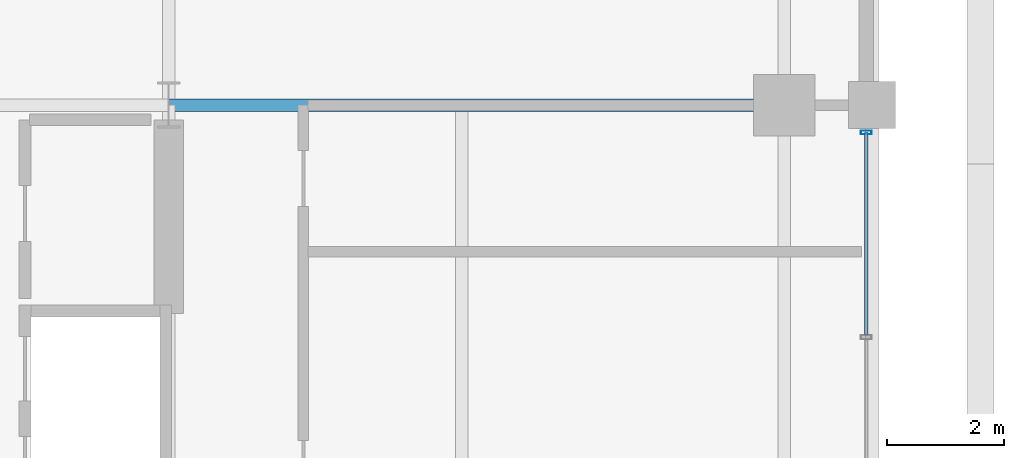
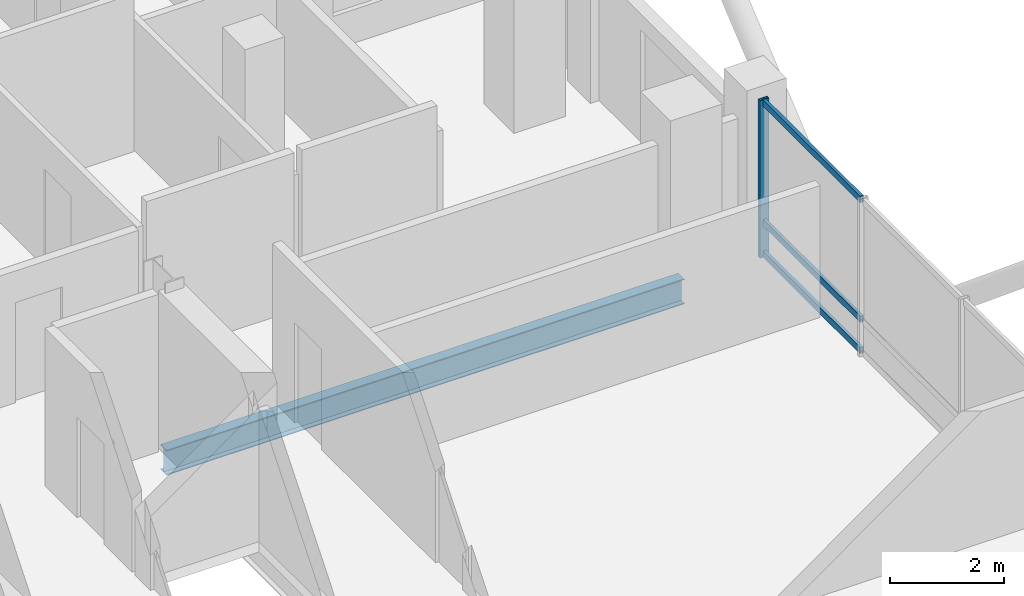
# One storey, part 11 of 24: 4 members, 1 beam, 1 element without a shape of its own.
"""IFC4 building model written with IfcOpenShell, lengths in metres."""

from ifc_helpers import new_model, si_unit, direction, frame, origin, origin_2d, place, context, subcontext, project, spatial, hollow_rectangle, i_section, extrude, material, layer, layer_set, material_profile, profile_set, type_object, element, aggregate, save


model = new_model("IFC4")

# Units and contexts
model_context = context("Model", 3, precision=1e-05, world=origin(), true_north=direction((0.0, 1.0)))
body_context = subcontext(model_context, "Body", "Model", "MODEL_VIEW")
ifc_project = project(units=[si_unit("LENGTHUNIT", "METRE"), si_unit("AREAUNIT", "SQUARE_METRE"), si_unit("VOLUMEUNIT", "CUBIC_METRE"), si_unit("PLANEANGLEUNIT", "RADIAN"), si_unit("MASSUNIT", "GRAM", prefix="KILO")], contexts=[model_context])

# Site, building, storey
site_placement = place(None, origin())
site = spatial("IfcSite", under=ifc_project, at=site_placement, CompositionType="ELEMENT")
building_placement = place(site_placement, origin())
building = spatial("IfcBuilding", under=site, at=building_placement, Name="Barlavira Tower and Art Museum", CompositionType="ELEMENT")
storey_placement = place(building_placement, frame((0.0, 0.0, 183.60009765625)))
storey = spatial("IfcBuildingStorey", under=building, at=storey_placement, Name="L47", CompositionType="ELEMENT", Elevation=183.60009765625)

# Curtain wall, members
ifc_material_1 = material(Name="Low-iron coastal laminated glass", Category="glass")
ifc_layer = layer(ifc_material_1, 0.199951171875, Name="Low-iron coastal laminated glass")
ifc_layer_set = layer_set([ifc_layer], Name="Low-iron coastal laminated glass")
curtain_wall_type = type_object("IfcCurtainWallType", Name="Pale-Metal Unitised Curtain Wall Zone 3", PredefinedType="NOTDEFINED", material=ifc_layer_set)
curtain_wall_placement = place(storey_placement, origin())
curtain_wall = element("IfcCurtainWall", 1, at=curtain_wall_placement, inside=storey, type_object=curtain_wall_type, Name="L47 Curtain Wall CW3-L47-E-B3", PredefinedType="NOTDEFINED")
ifc_material_2 = material(Name="Pale anodised aluminium", Category="aluminium")
ifc_material_profile_1 = material_profile(ifc_material_2, hollow_rectangle(XDim=0.06494140625, YDim=0.179931640625, WallThickness=0.00390625, at=origin_2d()), Name="ALU-MULL 65x180x4")
ifc_profile_set_1 = profile_set([ifc_material_profile_1], Name="Pale anodised aluminium")
member_type_1 = type_object("IfcMemberType", Name="Curtain Wall Pale-Metal Mullion 65x180", PredefinedType="MULLION", material=ifc_profile_set_1)
member_1_placement = place(storey_placement, frame((18.39990234375, 7.034912109375, 0.0), z_axis=(0.0, 0.0, 1.0), x_axis=(0.0, 1.0, 0.0)))
member_1 = element("IfcMember", 2, at=member_1_placement, type_object=member_type_1, Name="CW3-L47-E-B3 Mullion 4", PredefinedType="MULLION", context=body_context, shape_type="SweptSolid", body=[
    extrude(hollow_rectangle(XDim=0.06494140625, YDim=0.179931640625, WallThickness=0.00390625, at=origin_2d()), origin(), (0.0, 0.0, 1.0), 3.3798828125),
])
ifc_material_profile_2 = material_profile(ifc_material_2, hollow_rectangle(XDim=0.06494140625, YDim=0.139892578125, WallThickness=0.00390625, at=origin_2d()), Name="ALU-TRAN 65x140x4")
ifc_profile_set_2 = profile_set([ifc_material_profile_2], Name="Pale anodised aluminium")
member_type_2 = type_object("IfcMemberType", Name="Curtain Wall Pale-Metal Transom 65x140", PredefinedType="USERDEFINED", material=ifc_profile_set_2)
member_2_placement = place(storey_placement, frame((18.39990234375, 3.5849609375, 0.06982421875), z_axis=(0.0, 1.0, 0.0), x_axis=(-1.0, 0.0, 0.0)))
member_2 = element("IfcMember", 3, at=member_2_placement, type_object=member_type_2, Name="CW3-L47-E-B3 Transom 3.1", ObjectType="TRANSOM", PredefinedType="USERDEFINED", context=body_context, shape_type="SweptSolid", body=[
    extrude(hollow_rectangle(XDim=0.06494140625, YDim=0.139892578125, WallThickness=0.00390625, at=origin_2d()), origin(), (0.0, 0.0, 1.0), 3.449951171875),
])
member_3_placement = place(storey_placement, frame((18.39990234375, 3.5849609375, 0.743896484375), z_axis=(0.0, 1.0, 0.0), x_axis=(-1.0, 0.0, 0.0)))
member_3 = element("IfcMember", 4, at=member_3_placement, type_object=member_type_2, Name="CW3-L47-E-B3 Transom 3.2", ObjectType="TRANSOM", PredefinedType="USERDEFINED", context=body_context, shape_type="SweptSolid", body=[
    extrude(hollow_rectangle(XDim=0.06494140625, YDim=0.139892578125, WallThickness=0.00390625, at=origin_2d()), origin(), (0.0, 0.0, 1.0), 3.449951171875),
])
member_4_placement = place(storey_placement, frame((18.39990234375, 3.5849609375, 3.309814453125), z_axis=(0.0, 1.0, 0.0), x_axis=(-1.0, 0.0, 0.0)))
member_4 = element("IfcMember", 5, at=member_4_placement, type_object=member_type_2, Name="CW3-L47-E-B3 Transom 3.3", ObjectType="TRANSOM", PredefinedType="USERDEFINED", context=body_context, shape_type="SweptSolid", body=[
    extrude(hollow_rectangle(XDim=0.06494140625, YDim=0.139892578125, WallThickness=0.00390625, at=origin_2d()), origin(), (0.0, 0.0, 1.0), 3.449951171875),
])
aggregate(curtain_wall, [member_1, member_2, member_3, member_4])

# Beam
ifc_material_3 = material(Name="Steel S355", Category="steel")
ifc_material_profile_3 = material_profile(ifc_material_3, i_section(OverallWidth=0.2109375, OverallDepth=0.5390625, WebThickness=0.01171875, FlangeThickness=0.018798828125, at=origin_2d()), Name="W530x109.0")
ifc_profile_set_3 = profile_set([ifc_material_profile_3], Name="Steel S355")
beam_type = type_object("IfcBeamType", Name="Zone 3-4 Primary Floor Girder W530x109 Steel S355", PredefinedType="BEAM", material=ifc_profile_set_3)
beam_placement = place(storey_placement, frame((6.5, 7.5, -0.489501953125), z_axis=(1.0, 0.0, 0.0), x_axis=(0.0, 1.0, 0.0)))
element("IfcBeam", 6, at=beam_placement, inside=storey, type_object=beam_type, Name="L47 Girder R-E2", PredefinedType="BEAM", context=body_context, shape_type="SweptSolid", body=[
    extrude(i_section(OverallWidth=0.2109375, OverallDepth=0.5390625, WebThickness=0.01171875, FlangeThickness=0.018798828125, at=origin_2d()), origin(), (0.0, 0.0, 1.0), 10.5),
])

save(model, "model.ifc")
